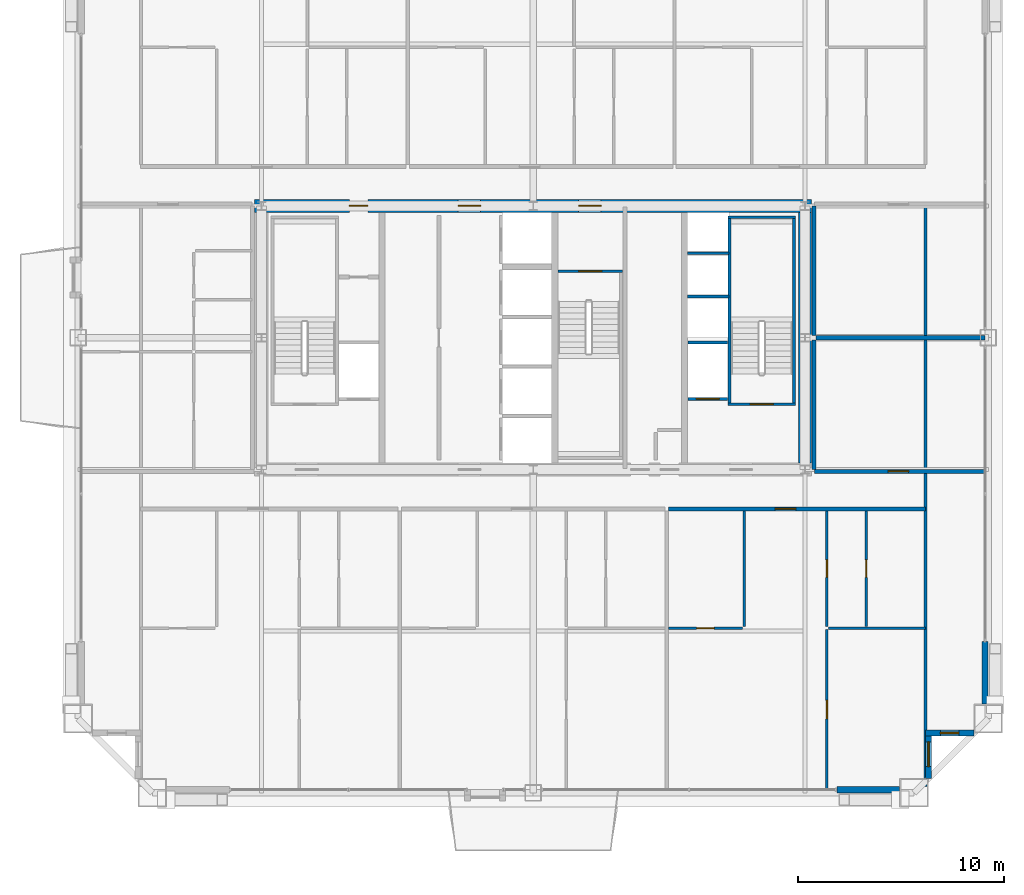
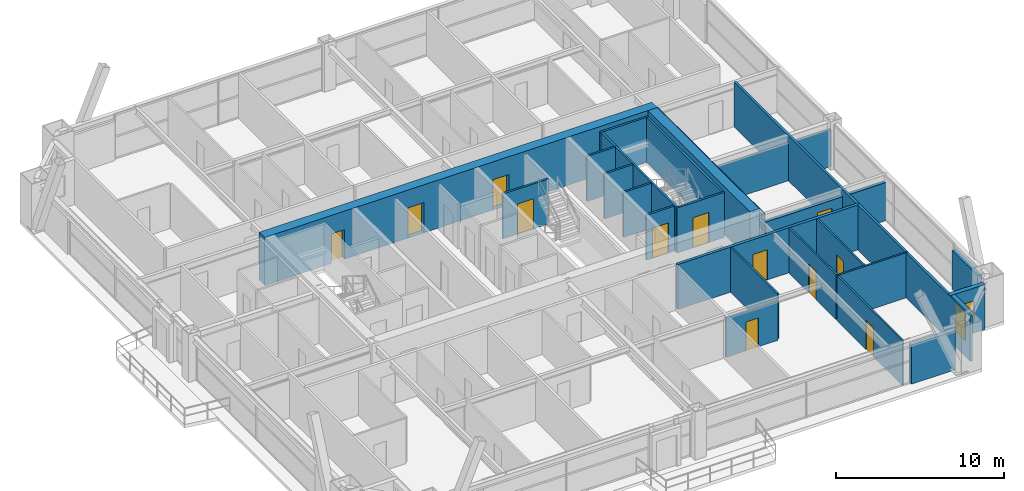
# One storey, part 39 of 42: 27 walls, 12 doors, 2 windows, 14 openings.
"""IFC4 building model written with IfcOpenShell, lengths in metres."""

from ifc_helpers import new_model, si_unit, direction, frame, frame_2d, origin, place, context, subcontext, project, spatial, rectangle, extrude, source, transform, mapped, material, layer, layer_set, type_object, element, fill, save


model = new_model("IFC4")

# Units and contexts
model_context = context("Model", 3, precision=1e-05, world=origin(), true_north=direction((0.0, 1.0)))
body_context = subcontext(model_context, "Body", "Model", "MODEL_VIEW")
ifc_project = project(units=[si_unit("LENGTHUNIT", "METRE"), si_unit("AREAUNIT", "SQUARE_METRE"), si_unit("VOLUMEUNIT", "CUBIC_METRE"), si_unit("PLANEANGLEUNIT", "RADIAN"), si_unit("MASSUNIT", "GRAM", prefix="KILO"), si_unit("THERMODYNAMICTEMPERATUREUNIT", "KELVIN"), si_unit("POWERUNIT", "WATT")], contexts=[model_context])

# Site, building, storey
site_placement = place(None, origin())
site = spatial("IfcSite", under=ifc_project, at=site_placement, CompositionType="ELEMENT")
building_placement = place(site_placement, origin())
building = spatial("IfcBuilding", under=site, at=building_placement, Name="Yuzanri Waterfront Tower", CompositionType="ELEMENT")
storey_placement = place(building_placement, frame((0.0, 0.0, 205.5)))
storey = spatial("IfcBuildingStorey", under=building, at=storey_placement, Name="L54", CompositionType="ELEMENT", Elevation=205.5)

# Wall, opening, door
ifc_material_1 = material(Name="Moisture-Resistant Gypsum Stud Wall", Category="gypsum")
ifc_layer_1 = layer(ifc_material_1, 0.1201171875)
ifc_layer_set_1 = layer_set([ifc_layer_1], Name="Moisture-Resistant Gypsum Stud Wall")
wall_type_1 = type_object("IfcWallType", Name="Bathroom and Kitchen Wet Partition 120", PredefinedType="PARTITIONING", material=ifc_layer_set_1)
wall_1_placement = place(storey_placement, frame((43.56005859375, 11.699951171875, 0.0), z_axis=(0.0, 0.0, 1.0), x_axis=(1.0, 0.0, 0.0)))
wall_1 = element("IfcWall", 1, at=wall_1_placement, inside=storey, type_object=wall_type_1, Name="L54 Partition UW-L54-RS3-SUB-1-S", PredefinedType="PARTITIONING", context=body_context, shape_type="SweptSolid", body=[
    extrude(rectangle(XDim=3.599853515625, YDim=0.1201171875, at=frame_2d((1.7998046875, 0.0))), origin(), (0.0, 0.0, 1.0), 2.875),
])
opening_1_placement = place(wall_1_placement, frame((1.375, 0.0, 0.0)))
opening_1 = element("IfcOpeningElement", 2, at=opening_1_placement, cuts=wall_1, Name="Opening ID-0850", PredefinedType="OPENING", context=body_context, shape_type="SweptSolid", body=[
    extrude(rectangle(XDim=0.85009765625, YDim=2.10009765625, at=frame_2d((0.425048828125, 1.050048828125))), frame((0.0, 0.074951171875, 0.0), z_axis=(0.0, -1.0, 0.0), x_axis=(1.0, 0.0, 0.0)), (0.0, 0.0, 1.0), 0.14990234375),
])
ifc_material_2 = material(Name="Moisture-Resistant Lacquered Timber", Category="wood")
door_type_1 = type_object("IfcDoorType", Name="En-Suite Bathroom and Kitchen Swing Door 850x2100", OperationType="NOTDEFINED", PredefinedType="DOOR", material=ifc_material_2)
shared_shape_1 = source(origin(), body_context, "Body", "SweptSolid", [
    extrude(rectangle(XDim=0.85009765625, YDim=2.10009765625, at=frame_2d((0.425048828125, 1.050048828125))), frame((0.0, 0.02490234375, 0.0), z_axis=(0.0, -1.0, 0.0), x_axis=(1.0, 0.0, 0.0)), (0.0, 0.0, 1.0), 0.050048828125),
])
door_1_placement = place(opening_1_placement, origin())
door_1 = element("IfcDoor", 3, at=door_1_placement, inside=storey, type_object=door_type_1, Name="L54 Suite Interior Room Door", OperationType="SINGLE_SWING_LEFT", OverallHeight=2.10009765625, OverallWidth=0.85009765625, PredefinedType="DOOR", context=body_context, shape_type="MappedRepresentation", body=[
    mapped(shared_shape_1, transform((0.0, 0.0, 0.0), scale=1.0)),
])
fill(opening_1, door_1)

wall_2_placement = place(storey_placement, frame((53.179931640625, 11.780029296875, 0.0), z_axis=(0.0, 0.0, 1.0), x_axis=(0.0, 1.0, 0.0)))
wall_2 = element("IfcWall", 4, at=wall_2_placement, inside=storey, type_object=wall_type_1, Name="L54 Partition UW-L54-RS3-SUB-2-W", PredefinedType="PARTITIONING", context=body_context, shape_type="SweptSolid", body=[
    extrude(rectangle(XDim=5.60986328125, YDim=0.1201171875, at=frame_2d((2.804931640625, 0.0))), origin(), (0.0, 0.0, 1.0), 3.280029296875),
])
opening_2_placement = place(wall_2_placement, frame((2.3798828125, 0.0, 0.0)))
opening_2 = element("IfcOpeningElement", 5, at=opening_2_placement, cuts=wall_2, Name="Opening ID-0850", PredefinedType="OPENING", context=body_context, shape_type="SweptSolid", body=[
    extrude(rectangle(XDim=0.85009765625, YDim=2.10009765625, at=frame_2d((0.425048828125, 1.050048828125))), frame((0.0, 0.074951171875, 0.0), z_axis=(0.0, -1.0, 0.0), x_axis=(1.0, 0.0, 0.0)), (0.0, 0.0, 1.0), 0.14990234375),
])
door_2_placement = place(opening_2_placement, origin())
door_2 = element("IfcDoor", 6, at=door_2_placement, inside=storey, type_object=door_type_1, Name="L54 Suite Interior Room Door", OperationType="SINGLE_SWING_RIGHT", OverallHeight=2.10009765625, OverallWidth=0.85009765625, PredefinedType="DOOR", context=body_context, shape_type="MappedRepresentation", body=[
    mapped(shared_shape_1, transform((0.0, 0.0, 0.0), scale=1.0)),
])
fill(opening_2, door_2)

wall_3_placement = place(storey_placement, frame((51.26806640625, 3.85009765625, 0.0), z_axis=(0.0, 0.0, 1.0), x_axis=(0.0, 1.0, 0.0)))
wall_3 = element("IfcWall", 7, at=wall_3_placement, inside=storey, type_object=wall_type_1, Name="L54 Partition UW-L54-RS3-SUB-3-W", PredefinedType="PARTITIONING", context=body_context, shape_type="SweptSolid", body=[
    extrude(rectangle(XDim=7.77001953125, YDim=0.1201171875, at=frame_2d((3.885009765625, 0.0))), origin(), (0.0, 0.0, 1.0), 3.280029296875),
])
opening_3_placement = place(wall_3_placement, frame((3.43505859375, 0.0, 0.0)))
opening_3 = element("IfcOpeningElement", 8, at=opening_3_placement, cuts=wall_3, Name="Opening ID-0900", PredefinedType="OPENING", context=body_context, shape_type="SweptSolid", body=[
    extrude(rectangle(XDim=0.89990234375, YDim=2.14990234375, at=frame_2d((0.449951171875, 1.074951171875))), frame((0.0, 0.074951171875, 0.0), z_axis=(0.0, -1.0, 0.0), x_axis=(1.0, 0.0, 0.0)), (0.0, 0.0, 1.0), 0.14990234375),
])
ifc_material_3 = material(Name="Stained Walnut Veneer Timber", Category="wood")
door_type_2 = type_object("IfcDoorType", Name="Bedroom and Study Interior Swing Door 900x2150", OperationType="NOTDEFINED", PredefinedType="DOOR", material=ifc_material_3)
shared_shape_2 = source(origin(), body_context, "Body", "SweptSolid", [
    extrude(rectangle(XDim=0.89990234375, YDim=2.14990234375, at=frame_2d((0.449951171875, 1.074951171875))), frame((0.0, 0.02490234375, 0.0), z_axis=(0.0, -1.0, 0.0), x_axis=(1.0, 0.0, 0.0)), (0.0, 0.0, 1.0), 0.050048828125),
])
door_3_placement = place(opening_3_placement, origin())
door_3 = element("IfcDoor", 9, at=door_3_placement, inside=storey, type_object=door_type_2, Name="L54 Suite Interior Room Door", OperationType="SINGLE_SWING_LEFT", OverallHeight=2.14990234375, OverallWidth=0.89990234375, PredefinedType="DOOR", context=body_context, shape_type="MappedRepresentation", body=[
    mapped(shared_shape_2, transform((0.0, 0.0, 0.0), scale=1.0)),
])
fill(opening_3, door_3)

wall_4_placement = place(storey_placement, frame((51.26806640625, 11.780029296875, 0.0), z_axis=(0.0, 0.0, 1.0), x_axis=(0.0, 1.0, 0.0)))
wall_4 = element("IfcWall", 10, at=wall_4_placement, inside=storey, type_object=wall_type_1, Name="L54 Partition UW-L54-RS3-SUB-4-W", PredefinedType="PARTITIONING", context=body_context, shape_type="SweptSolid", body=[
    extrude(rectangle(XDim=5.60986328125, YDim=0.1201171875, at=frame_2d((2.804931640625, 0.0))), origin(), (0.0, 0.0, 1.0), 3.280029296875),
])
opening_4_placement = place(wall_4_placement, frame((2.3798828125, 0.0, 0.0)))
opening_4 = element("IfcOpeningElement", 11, at=opening_4_placement, cuts=wall_4, Name="Opening ID-0850", PredefinedType="OPENING", context=body_context, shape_type="SweptSolid", body=[
    extrude(rectangle(XDim=0.85009765625, YDim=2.10009765625, at=frame_2d((0.425048828125, 1.050048828125))), frame((0.0, 0.074951171875, 0.0), z_axis=(0.0, -1.0, 0.0), x_axis=(1.0, 0.0, 0.0)), (0.0, 0.0, 1.0), 0.14990234375),
])
door_4_placement = place(opening_4_placement, origin())
door_4 = element("IfcDoor", 12, at=door_4_placement, inside=storey, type_object=door_type_1, Name="L54 Suite Interior Room Door", OperationType="SINGLE_SWING_RIGHT", OverallHeight=2.10009765625, OverallWidth=0.85009765625, PredefinedType="DOOR", context=body_context, shape_type="MappedRepresentation", body=[
    mapped(shared_shape_1, transform((0.0, 0.0, 0.0), scale=1.0)),
])
fill(opening_4, door_4)

# Wall, opening, window
ifc_material_4 = material(Name="Honed Chongqing Dark Basalt Stone", Category="masonry")
ifc_layer_2 = layer(ifc_material_4, 0.300048828125)
ifc_layer_set_2 = layer_set([ifc_layer_2], Name="Honed Chongqing Dark Basalt Stone")
wall_type_2 = type_object("IfcWallType", Name="Bronze Rainscreen Insulated Spandrel Portal Wall 300", PredefinedType="SOLIDWALL", material=ifc_layer_set_2)
wall_5_placement = place(storey_placement, frame((56.050048828125, 6.60009765625, 0.0), z_axis=(0.0, 0.0, 1.0), x_axis=(1.0, 0.0, 0.0)))
wall_5 = element("IfcWall", 13, at=wall_5_placement, inside=storey, type_object=wall_type_2, Name="L54 Notched Corner Masonry Wall SE-X", PredefinedType="SOLIDWALL", context=body_context, shape_type="SweptSolid", body=[
    extrude(rectangle(XDim=2.349853515625, YDim=0.300048828125, at=frame_2d((1.1748046875, 0.0))), origin(), (0.0, 0.0, 1.0), 3.280029296875),
])
opening_5_placement = place(wall_5_placement, frame((0.72509765625, 0.0, 0.85009765625)))
opening_5 = element("IfcOpeningElement", 14, at=opening_5_placement, cuts=wall_5, Name="Opening WN-05", PredefinedType="OPENING", context=body_context, shape_type="SweptSolid", body=[
    extrude(rectangle(XDim=0.89990234375, YDim=1.5, at=frame_2d((0.449951171875, 0.75))), frame((0.0, 0.1650390625, 0.0), z_axis=(0.0, -1.0, 0.0), x_axis=(1.0, 0.0, 0.0)), (0.0, 0.0, 1.0), 0.329833984375),
])
ifc_material_5 = material(Name="Double-Silver Low-E Insulated Glass", Category="glass")
window_type_1 = type_object("IfcWindowType", Name="Anodized Bronze Service and Stairwell Smoke-Vent Window 900x1500", PartitioningType="SINGLE_PANEL", PredefinedType="WINDOW", material=ifc_material_5)
shared_shape_3 = source(origin(), body_context, "Body", "SweptSolid", [
    extrude(rectangle(XDim=0.89990234375, YDim=1.5, at=frame_2d((0.449951171875, 0.75))), frame((0.0, 0.030029296875, 0.0), z_axis=(0.0, -1.0, 0.0), x_axis=(1.0, 0.0, 0.0)), (0.0, 0.0, 1.0), 0.06005859375),
])
window_1_placement = place(opening_5_placement, origin())
window_1 = element("IfcWindow", 15, at=window_1_placement, inside=storey, type_object=window_type_1, Name="L54 Notched Corner Window SE-X", OverallHeight=1.5, OverallWidth=0.89990234375, PartitioningType="SINGLE_PANEL", PredefinedType="WINDOW", context=body_context, shape_type="MappedRepresentation", body=[
    mapped(shared_shape_3, transform((0.0, 0.0, 0.0), scale=1.0)),
])
fill(opening_5, window_1)

wall_6_placement = place(storey_placement, frame((56.199951171875, 4.39990234375, 0.0), z_axis=(0.0, 0.0, 1.0), x_axis=(0.0, 1.0, 0.0)))
wall_6 = element("IfcWall", 16, at=wall_6_placement, inside=storey, type_object=wall_type_2, Name="L54 Notched Corner Masonry Wall SE-Y", PredefinedType="SOLIDWALL", context=body_context, shape_type="SweptSolid", body=[
    extrude(rectangle(XDim=2.35009765625, YDim=0.300048828125, at=frame_2d((1.175048828125, 0.0))), origin(), (0.0, 0.0, 1.0), 3.280029296875),
])
opening_6_placement = place(wall_6_placement, frame((0.574951171875, 0.0, 0.85009765625)))
opening_6 = element("IfcOpeningElement", 17, at=opening_6_placement, cuts=wall_6, Name="Opening WN-02", PredefinedType="OPENING", context=body_context, shape_type="SweptSolid", body=[
    extrude(rectangle(XDim=1.199951171875, YDim=2.10009765625, at=frame_2d((0.60009765625, 1.050048828125))), frame((0.0, 0.1650390625, 0.0), z_axis=(0.0, -1.0, 0.0), x_axis=(1.0, 0.0, 0.0)), (0.0, 0.0, 1.0), 0.329833984375),
])
ifc_material_6 = material(Name="Double-Silver Low-E Insulated Glass", Category="glass")
window_type_2 = type_object("IfcWindowType", Name="Anodized Bronze Notched Corner Deep-Set Slot Window 1200x2100", PartitioningType="SINGLE_PANEL", PredefinedType="WINDOW", material=ifc_material_6)
shared_shape_4 = source(origin(), body_context, "Body", "SweptSolid", [
    extrude(rectangle(XDim=1.199951171875, YDim=2.10009765625, at=frame_2d((0.60009765625, 1.050048828125))), frame((0.0, 0.030029296875, 0.0), z_axis=(0.0, -1.0, 0.0), x_axis=(1.0, 0.0, 0.0)), (0.0, 0.0, 1.0), 0.06005859375),
])
window_2_placement = place(opening_6_placement, origin())
window_2 = element("IfcWindow", 18, at=window_2_placement, inside=storey, type_object=window_type_2, Name="L54 Notched Corner Window SE-Y", OverallHeight=2.10009765625, OverallWidth=1.199951171875, PartitioningType="SINGLE_PANEL", PredefinedType="WINDOW", context=body_context, shape_type="MappedRepresentation", body=[
    mapped(shared_shape_4, transform((0.0, 0.0, 0.0), scale=1.0)),
])
fill(opening_6, window_2)

# Wall, openings, doors
ifc_material_7 = material(Name="Concrete C50", Category="concrete")
ifc_layer_3 = layer(ifc_material_7, 0.64990234375)
ifc_layer_set_3 = layer_set([ifc_layer_3], Name="Concrete C50")
wall_type_3 = type_object("IfcWallType", Name="Concrete C50 Mid Zone Core Shear Wall 650", PredefinedType="SHEAR", material=ifc_layer_set_3)
wall_7_placement = place(storey_placement, frame((23.47509765625, 32.199951171875, 0.0), z_axis=(0.0, 0.0, 1.0), x_axis=(1.0, 0.0, 0.0)))
wall_7 = element("IfcWall", 19, at=wall_7_placement, inside=storey, type_object=wall_type_3, Name="L54 Core North Shear Wall", PredefinedType="SHEAR", context=body_context, shape_type="SweptSolid", body=[
    extrude(rectangle(XDim=27.0498046875, YDim=0.64990234375, at=frame_2d((13.52490234375, 0.0))), origin(), (0.0, 0.0, 1.0), 3.5),
])
opening_7_placement = place(wall_7_placement, frame((4.594970703125, 0.0, 0.0)))
opening_7 = element("IfcOpeningElement", 20, at=opening_7_placement, cuts=wall_7, Name="Opening FD-0900", PredefinedType="OPENING", context=body_context, shape_type="SweptSolid", body=[
    extrude(rectangle(XDim=0.89990234375, YDim=2.14990234375, at=frame_2d((0.449951171875, 1.074951171875))), frame((0.0, 0.33984375, 0.0), z_axis=(0.0, -1.0, 0.0), x_axis=(1.0, 0.0, 0.0)), (0.0, 0.0, 1.0), 0.6796875),
])
opening_8_placement = place(wall_7_placement, frame((9.875, 0.0, 0.0)))
opening_8 = element("IfcOpeningElement", 21, at=opening_8_placement, cuts=wall_7, Name="Opening FD-1100", PredefinedType="OPENING", context=body_context, shape_type="SweptSolid", body=[
    extrude(rectangle(XDim=1.10009765625, YDim=2.199951171875, at=frame_2d((0.550048828125, 1.10009765625))), frame((0.0, 0.33984375, 0.0), z_axis=(0.0, -1.0, 0.0), x_axis=(1.0, 0.0, 0.0)), (0.0, 0.0, 1.0), 0.6796875),
])
opening_9_placement = place(wall_7_placement, frame((15.72509765625, 0.0, 0.0)))
opening_9 = element("IfcOpeningElement", 22, at=opening_9_placement, cuts=wall_7, Name="Opening FD-1100", PredefinedType="OPENING", context=body_context, shape_type="SweptSolid", body=[
    extrude(rectangle(XDim=1.10009765625, YDim=2.199951171875, at=frame_2d((0.550048828125, 1.10009765625))), frame((0.0, 0.33984375, 0.0), z_axis=(0.0, -1.0, 0.0), x_axis=(1.0, 0.0, 0.0)), (0.0, 0.0, 1.0), 0.6796875),
])
ifc_material_8 = material(Name="Painted Galvanized Fire Steel", Category="steel")
door_type_3 = type_object("IfcDoorType", Name="Smoke-Proof Stair and Lobby Fire Door 1100x2200", OperationType="NOTDEFINED", PredefinedType="DOOR", material=ifc_material_8)
shared_shape_5 = source(origin(), body_context, "Body", "SweptSolid", [
    extrude(rectangle(XDim=1.10009765625, YDim=2.199951171875, at=frame_2d((0.550048828125, 1.10009765625))), frame((0.0, 0.02490234375, 0.0), z_axis=(0.0, -1.0, 0.0), x_axis=(1.0, 0.0, 0.0)), (0.0, 0.0, 1.0), 0.050048828125),
])
door_5_placement = place(opening_8_placement, origin())
door_5 = element("IfcDoor", 23, at=door_5_placement, inside=storey, type_object=door_type_3, Name="L54 Central Lift Lobby North Door", OperationType="SINGLE_SWING_RIGHT", OverallHeight=2.199951171875, OverallWidth=1.10009765625, PredefinedType="DOOR", context=body_context, shape_type="MappedRepresentation", body=[
    mapped(shared_shape_5, transform((0.0, 0.0, 0.0), scale=1.0)),
])
fill(opening_8, door_5)
door_6_placement = place(opening_9_placement, origin())
door_6 = element("IfcDoor", 24, at=door_6_placement, inside=storey, type_object=door_type_3, Name="L54 North Stair Lobby Door", OperationType="SINGLE_SWING_LEFT", OverallHeight=2.199951171875, OverallWidth=1.10009765625, PredefinedType="DOOR", context=body_context, shape_type="MappedRepresentation", body=[
    mapped(shared_shape_5, transform((0.0, 0.0, 0.0), scale=1.0)),
])
fill(opening_9, door_6)
ifc_material_9 = material(Name="Painted Galvanized Fire Steel", Category="steel")
door_type_4 = type_object("IfcDoorType", Name="Riser and Service Room Fire Door 900x2150", OperationType="NOTDEFINED", PredefinedType="DOOR", material=ifc_material_9)
shared_shape_6 = source(origin(), body_context, "Body", "SweptSolid", [
    extrude(rectangle(XDim=0.89990234375, YDim=2.14990234375, at=frame_2d((0.449951171875, 1.074951171875))), frame((0.0, 0.02490234375, 0.0), z_axis=(0.0, -1.0, 0.0), x_axis=(1.0, 0.0, 0.0)), (0.0, 0.0, 1.0), 0.050048828125),
])
door_7_placement = place(opening_7_placement, origin())
door_7 = element("IfcDoor", 25, at=door_7_placement, inside=storey, type_object=door_type_4, Name="L54 Telecom Riser Door", OperationType="SINGLE_SWING_LEFT", OverallHeight=2.14990234375, OverallWidth=0.89990234375, PredefinedType="DOOR", context=body_context, shape_type="MappedRepresentation", body=[
    mapped(shared_shape_6, transform((0.0, 0.0, 0.0), scale=1.0)),
])
fill(opening_7, door_7)

# Wall, opening, door
ifc_material_10 = material(Name="Concrete C40", Category="concrete")
ifc_layer_4 = layer(ifc_material_10, 0.139892578125)
ifc_layer_set_4 = layer_set([ifc_layer_4], Name="Concrete C40")
wall_type_4 = type_object("IfcWallType", Name="Core Stair Liner and Hoistway Shaft Wall 140", PredefinedType="SOLIDWALL", material=ifc_layer_set_4)
wall_8_placement = place(storey_placement, frame((44.52001953125, 22.830078125, 0.0), z_axis=(0.0, 0.0, 1.0), x_axis=(1.0, 0.0, 0.0)))
wall_8 = element("IfcWall", 26, at=wall_8_placement, inside=storey, type_object=wall_type_4, Name="L54 Lift FL-02 Front Shaft Wall", PredefinedType="SOLIDWALL", context=body_context, shape_type="SweptSolid", body=[
    extrude(rectangle(XDim=1.919921875, YDim=0.139892578125, at=frame_2d((0.9599609375, 0.0))), origin(), (0.0, 0.0, 1.0), 3.280029296875),
])
opening_10_placement = place(wall_8_placement, frame((0.409912109375, 0.0, 0.0)))
opening_10 = element("IfcOpeningElement", 27, at=opening_10_placement, cuts=wall_8, Name="Opening LD-FL-02", PredefinedType="OPENING", context=body_context, shape_type="SweptSolid", body=[
    extrude(rectangle(XDim=1.10009765625, YDim=2.199951171875, at=frame_2d((0.550048828125, 1.10009765625))), frame((0.0, 0.0849609375, 0.0), z_axis=(0.0, -1.0, 0.0), x_axis=(1.0, 0.0, 0.0)), (0.0, 0.0, 1.0), 0.169677734375),
])
ifc_material_11 = material(Name="Brushed Bronze and Stainless Steel Cab", Category="steel")
door_type_5 = type_object("IfcDoorType", Name="Center-Parting Bronze Lift Landing Sliding Door 1100x2200", OperationType="NOTDEFINED", PredefinedType="DOOR", material=ifc_material_11)
shared_shape_7 = source(origin(), body_context, "Body", "SweptSolid", [
    extrude(rectangle(XDim=1.10009765625, YDim=2.199951171875, at=frame_2d((0.550048828125, 1.10009765625))), frame((0.0, 0.02490234375, 0.0), z_axis=(0.0, -1.0, 0.0), x_axis=(1.0, 0.0, 0.0)), (0.0, 0.0, 1.0), 0.050048828125),
])
door_8_placement = place(opening_10_placement, origin())
door_8 = element("IfcDoor", 28, at=door_8_placement, inside=storey, type_object=door_type_5, Name="L54 FL-02 Lift Landing Sliding Door", OperationType="SLIDING_TO_RIGHT", OverallHeight=2.199951171875, OverallWidth=1.10009765625, PredefinedType="DOOR", context=body_context, shape_type="MappedRepresentation", body=[
    mapped(shared_shape_7, transform((0.0, 0.0, 0.0), scale=1.0)),
])
fill(opening_10, door_8)

wall_9_placement = place(storey_placement, frame((46.4599609375, 22.570068359375, 0.0), z_axis=(0.0, 0.0, 1.0), x_axis=(1.0, 0.0, 0.0)))
wall_9 = element("IfcWall", 29, at=wall_9_placement, inside=storey, type_object=wall_type_4, Name="L54 Shaft Wall STW-L54-ST-02-S", PredefinedType="SOLIDWALL", context=body_context, shape_type="SweptSolid", body=[
    extrude(rectangle(XDim=3.280029296875, YDim=0.139892578125, at=frame_2d((1.64013671875, 0.0))), origin(), (0.0, 0.0, 1.0), 3.280029296875),
])
opening_11_placement = place(wall_9_placement, frame((1.090087890625, 0.0, 0.0)))
opening_11 = element("IfcOpeningElement", 30, at=opening_11_placement, cuts=wall_9, Name="Opening FD-1100", PredefinedType="OPENING", context=body_context, shape_type="SweptSolid", body=[
    extrude(rectangle(XDim=1.10009765625, YDim=2.199951171875, at=frame_2d((0.550048828125, 1.10009765625))), frame((0.0, 0.0849609375, 0.0), z_axis=(0.0, -1.0, 0.0), x_axis=(1.0, 0.0, 0.0)), (0.0, 0.0, 1.0), 0.169677734375),
])
door_9_placement = place(opening_11_placement, origin())
door_9 = element("IfcDoor", 31, at=door_9_placement, inside=storey, type_object=door_type_3, Name="L54 Stair ST-02 Fire Door", OperationType="SINGLE_SWING_RIGHT", OverallHeight=2.199951171875, OverallWidth=1.10009765625, PredefinedType="DOOR", context=body_context, shape_type="MappedRepresentation", body=[
    mapped(shared_shape_5, transform((0.0, 0.0, 0.0), scale=1.0)),
])
fill(opening_11, door_9)

wall_10_placement = place(storey_placement, frame((38.199951171875, 29.030029296875, 0.0), z_axis=(0.0, 0.0, 1.0), x_axis=(1.0, 0.0, 0.0)))
wall_10 = element("IfcWall", 32, at=wall_10_placement, inside=storey, type_object=wall_type_4, Name="L54 Shaft Wall STW-L54-ST-03-N", PredefinedType="SOLIDWALL", context=body_context, shape_type="SweptSolid", body=[
    extrude(rectangle(XDim=3.14013671875, YDim=0.139892578125, at=frame_2d((1.570068359375, 0.0))), origin(), (0.0, 0.0, 1.0), 3.280029296875),
])
opening_12_placement = place(wall_10_placement, frame((1.02001953125, 0.0, 0.0)))
opening_12 = element("IfcOpeningElement", 33, at=opening_12_placement, cuts=wall_10, Name="Opening FD-1100", PredefinedType="OPENING", context=body_context, shape_type="SweptSolid", body=[
    extrude(rectangle(XDim=1.10009765625, YDim=2.199951171875, at=frame_2d((0.550048828125, 1.10009765625))), frame((0.0, 0.0849609375, 0.0), z_axis=(0.0, -1.0, 0.0), x_axis=(1.0, 0.0, 0.0)), (0.0, 0.0, 1.0), 0.169677734375),
])
door_10_placement = place(opening_12_placement, origin())
door_10 = element("IfcDoor", 34, at=door_10_placement, inside=storey, type_object=door_type_3, Name="L54 Stair ST-03 Fire Door", OperationType="SINGLE_SWING_LEFT", OverallHeight=2.199951171875, OverallWidth=1.10009765625, PredefinedType="DOOR", context=body_context, shape_type="MappedRepresentation", body=[
    mapped(shared_shape_5, transform((0.0, 0.0, 0.0), scale=1.0)),
])
fill(opening_12, door_10)

ifc_material_12 = material(Name="Autoclaved Aerated Concrete Blockwork", Category="masonry")
ifc_layer_5 = layer(ifc_material_12, 0.199951171875)
ifc_layer_set_5 = layer_set([ifc_layer_5], Name="Autoclaved Aerated Concrete Blockwork")
wall_type_5 = type_object("IfcWallType", Name="Corridor and Unit Party Fire Wall 200", PredefinedType="PARTITIONING", material=ifc_layer_set_5)
wall_11_placement = place(storey_placement, frame((43.56005859375, 17.489990234375, 0.0), z_axis=(0.0, 0.0, 1.0), x_axis=(1.0, 0.0, 0.0)))
wall_11 = element("IfcWall", 35, at=wall_11_placement, inside=storey, type_object=wall_type_5, Name="L54 Partition UW-L54-RS3-CN", PredefinedType="PARTITIONING", context=body_context, shape_type="SweptSolid", body=[
    extrude(rectangle(XDim=12.5, YDim=0.199951171875, at=frame_2d((6.25, 0.0))), origin(), (0.0, 0.0, 1.0), 3.280029296875),
])
opening_13_placement = place(wall_11_placement, frame((5.194091796875, 0.0, 0.0)))
opening_13 = element("IfcOpeningElement", 36, at=opening_13_placement, cuts=wall_11, Name="Opening FD-1000", PredefinedType="OPENING", context=body_context, shape_type="SweptSolid", body=[
    extrude(rectangle(XDim=1.0, YDim=2.199951171875, at=frame_2d((0.5, 1.10009765625))), frame((0.0, 0.11474609375, 0.0), z_axis=(0.0, -1.0, 0.0), x_axis=(1.0, 0.0, 0.0)), (0.0, 0.0, 1.0), 0.229736328125),
])
ifc_material_13 = material(Name="Engineered Oak Fire-Rated Timber", Category="wood")
door_type_6 = type_object("IfcDoorType", Name="Guestroom and Apartment Entrance Fire Door 1000x2200", OperationType="NOTDEFINED", PredefinedType="DOOR", material=ifc_material_13)
shared_shape_8 = source(origin(), body_context, "Body", "SweptSolid", [
    extrude(rectangle(XDim=1.0, YDim=2.199951171875, at=frame_2d((0.5, 1.10009765625))), frame((0.0, 0.02490234375, 0.0), z_axis=(0.0, -1.0, 0.0), x_axis=(1.0, 0.0, 0.0)), (0.0, 0.0, 1.0), 0.050048828125),
])
door_11_placement = place(opening_13_placement, origin())
door_11 = element("IfcDoor", 37, at=door_11_placement, inside=storey, type_object=door_type_6, Name="L54 Apartment Living Room Entrance Door", OperationType="SINGLE_SWING_RIGHT", OverallHeight=2.199951171875, OverallWidth=1.0, PredefinedType="DOOR", context=body_context, shape_type="MappedRepresentation", body=[
    mapped(shared_shape_8, transform((0.0, 0.0, 0.0), scale=1.0)),
])
fill(opening_13, door_11)

wall_12_placement = place(storey_placement, frame((50.64990234375, 19.31005859375, 0.0), z_axis=(0.0, 0.0, 1.0), x_axis=(1.0, 0.0, 0.0)))
wall_12 = element("IfcWall", 38, at=wall_12_placement, inside=storey, type_object=wall_type_5, Name="L54 Partition UW-L54-050-CS", PredefinedType="PARTITIONING", context=body_context, shape_type="SweptSolid", body=[
    extrude(rectangle(XDim=8.300048828125, YDim=0.199951171875, at=frame_2d((4.14990234375, 0.0))), origin(), (0.0, 0.0, 1.0), 2.77490234375),
])
opening_14_placement = place(wall_12_placement, frame((3.5849609375, 0.0, 0.0)))
opening_14 = element("IfcOpeningElement", 39, at=opening_14_placement, cuts=wall_12, Name="Opening FD-1000", PredefinedType="OPENING", context=body_context, shape_type="SweptSolid", body=[
    extrude(rectangle(XDim=1.0, YDim=2.199951171875, at=frame_2d((0.5, 1.10009765625))), frame((0.0, 0.11474609375, 0.0), z_axis=(0.0, -1.0, 0.0), x_axis=(1.0, 0.0, 0.0)), (0.0, 0.0, 1.0), 0.229736328125),
])
door_12_placement = place(opening_14_placement, origin())
door_12 = element("IfcDoor", 40, at=door_12_placement, inside=storey, type_object=door_type_6, Name="L54 Residents E Co-Working Office 1 Entrance Door", OperationType="SINGLE_SWING_LEFT", OverallHeight=2.199951171875, OverallWidth=1.0, PredefinedType="DOOR", context=body_context, shape_type="MappedRepresentation", body=[
    mapped(shared_shape_8, transform((0.0, 0.0, 0.0), scale=1.0)),
])
fill(opening_14, door_12)

# Walls
shared_shape_9 = source(origin(), body_context, "Body", "SweptSolid", [
    extrude(rectangle(XDim=12.14990234375, YDim=0.64990234375, at=frame_2d((6.074951171875, 0.0))), origin(), (0.0, 0.0, 1.0), 3.5),
])
wall_13_placement = place(storey_placement, frame((50.199951171875, 19.72509765625, 0.0), z_axis=(0.0, 0.0, 1.0), x_axis=(0.0, 1.0, 0.0)))
element("IfcWall", 41, at=wall_13_placement, inside=storey, type_object=wall_type_3, Name="L54 Core East Shear Wall", PredefinedType="SHEAR", context=body_context, shape_type="MappedRepresentation", body=[
    mapped(shared_shape_9, transform((0.0, 0.0, 0.0), scale=1.0)),
])
shared_shape_10 = source(origin(), body_context, "Body", "SweptSolid", [
    extrude(rectangle(XDim=3.050048828125, YDim=0.300048828125, at=frame_2d((1.52490234375, 0.0))), origin(), (0.0, 0.0, 1.0), 2.8349609375),
])
for number, where, z_axis, x_axis, name in (
    (42, (51.75, 3.85009765625, 0.0), (0.0, 0.0, 1.0), (1.0, 0.0, 0.0), "L54 S Right Braced Masonry Shoulder"),
    (43, (58.949951171875, 8.0, 0.0), (0.0, 0.0, 1.0), (0.0, 1.0, 0.0), "L54 E Left Braced Masonry Shoulder"),
):
    element("IfcWall", number, at=place(storey_placement, frame(where, z_axis=z_axis, x_axis=x_axis)), inside=storey, type_object=wall_type_2, Name=name, PredefinedType="SOLIDWALL", context=body_context, shape_type="MappedRepresentation", body=[
        mapped(shared_shape_10, transform((0.0, 0.0, 0.0), scale=1.0)),
    ])
shared_shape_11 = source(origin(), body_context, "Body", "SweptSolid", [
    extrude(rectangle(XDim=1.919921875, YDim=0.139892578125, at=frame_2d((0.9599609375, 0.0))), origin(), (0.0, 0.0, 1.0), 3.280029296875),
])
wall_14_placement = place(storey_placement, frame((44.52001953125, 25.570068359375, 0.0), z_axis=(0.0, 0.0, 1.0), x_axis=(1.0, 0.0, 0.0)))
element("IfcWall", 44, at=wall_14_placement, inside=storey, type_object=wall_type_4, Name="L54 Lift FL-02 Back Shaft Wall", PredefinedType="SOLIDWALL", context=body_context, shape_type="MappedRepresentation", body=[
    mapped(shared_shape_11, transform((0.0, 0.0, 0.0), scale=1.0)),
])
shared_shape_12 = source(origin(), body_context, "Body", "SweptSolid", [
    extrude(rectangle(XDim=2.0, YDim=0.139892578125, at=frame_2d((1.0, 0.0))), origin(), (0.0, 0.0, 1.0), 3.280029296875),
])
for number, where, z_axis, x_axis, name in (
    (45, (44.5, 27.800048828125, 0.0), (0.0, 0.0, 1.0), (1.0, 0.0, 0.0), "L54 Lift PL-09 Divider Wall"),
    (46, (44.5, 29.89990234375, 0.0), (0.0, 0.0, 1.0), (1.0, 0.0, 0.0), "L54 Lift PL-10 Divider Wall"),
):
    element("IfcWall", number, at=place(storey_placement, frame(where, z_axis=z_axis, x_axis=x_axis)), inside=storey, type_object=wall_type_4, Name=name, PredefinedType="SOLIDWALL", context=body_context, shape_type="MappedRepresentation", body=[
        mapped(shared_shape_12, transform((0.0, 0.0, 0.0), scale=1.0)),
    ])
shared_shape_13 = source(origin(), body_context, "Body", "SweptSolid", [
    extrude(rectangle(XDim=3.280029296875, YDim=0.139892578125, at=frame_2d((1.64013671875, 0.0))), origin(), (0.0, 0.0, 1.0), 3.280029296875),
])
wall_15_placement = place(storey_placement, frame((46.4599609375, 31.64990234375, 0.0), z_axis=(0.0, 0.0, 1.0), x_axis=(1.0, 0.0, 0.0)))
element("IfcWall", 47, at=wall_15_placement, inside=storey, type_object=wall_type_4, Name="L54 Stair ST-02 North Shaft Wall", PredefinedType="SOLIDWALL", context=body_context, shape_type="MappedRepresentation", body=[
    mapped(shared_shape_13, transform((0.0, 0.0, 0.0), scale=1.0)),
])
shared_shape_14 = source(origin(), body_context, "Body", "SweptSolid", [
    extrude(rectangle(XDim=8.940185546875, YDim=0.139892578125, at=frame_2d((4.47021484375, 0.0))), origin(), (0.0, 0.0, 1.0), 3.280029296875),
])
for number, where, z_axis, x_axis, name in (
    (48, (46.530029296875, 22.639892578125, 0.0), (0.0, 0.0, 1.0), (0.0, 1.0, 0.0), "L54 Stair ST-02 West Shaft Wall"),
    (49, (49.669921875, 22.639892578125, 0.0), (0.0, 0.0, 1.0), (0.0, 1.0, 0.0), "L54 Stair ST-02 East Shaft Wall"),
):
    element("IfcWall", number, at=place(storey_placement, frame(where, z_axis=z_axis, x_axis=x_axis)), inside=storey, type_object=wall_type_4, Name=name, PredefinedType="SOLIDWALL", context=body_context, shape_type="MappedRepresentation", body=[
        mapped(shared_shape_14, transform((0.0, 0.0, 0.0), scale=1.0)),
    ])
shared_shape_15 = source(origin(), body_context, "Body", "SweptSolid", [
    extrude(rectangle(XDim=5.60986328125, YDim=0.1201171875, at=frame_2d((2.804931640625, 0.0))), origin(), (0.0, 0.0, 1.0), 3.280029296875),
])
wall_16_placement = place(storey_placement, frame((47.239990234375, 11.780029296875, 0.0), z_axis=(0.0, 0.0, 1.0), x_axis=(0.0, 1.0, 0.0)))
element("IfcWall", 50, at=wall_16_placement, inside=storey, type_object=wall_type_1, Name="L54 Partition UW-L54-RS3-SUB-1-E", PredefinedType="PARTITIONING", context=body_context, shape_type="MappedRepresentation", body=[
    mapped(shared_shape_15, transform((0.0, 0.0, 0.0), scale=1.0)),
])
shared_shape_16 = source(origin(), body_context, "Body", "SweptSolid", [
    extrude(rectangle(XDim=8.21484375, YDim=0.199951171875, at=frame_2d((4.107421875, 0.0))), origin(), (0.0, 0.0, 1.0), 2.68701171875),
])
wall_17_placement = place(storey_placement, frame((50.735107421875, 25.800048828125, 0.0), z_axis=(0.0, 0.0, 1.0), x_axis=(1.0, 0.0, 0.0)))
element("IfcWall", 51, at=wall_17_placement, inside=storey, type_object=wall_type_5, Name="L54-050 Wing North Wall", PredefinedType="PARTITIONING", context=body_context, shape_type="MappedRepresentation", body=[
    mapped(shared_shape_16, transform((0.0, 0.0, 0.0), scale=1.0)),
])
shared_shape_17 = source(origin(), body_context, "Body", "SweptSolid", [
    extrude(rectangle(XDim=6.2900390625, YDim=0.199951171875, at=frame_2d((3.14501953125, 0.0))), origin(), (0.0, 0.0, 1.0), 3.280029296875),
])
for number, where, z_axis, x_axis, name in (
    (52, (50.6298828125, 19.409912109375, 0.0), (0.0, 0.0, 1.0), (0.0, 1.0, 0.0), "L54-050 Wing Inner Core-Side Wall"),
    (53, (50.6298828125, 25.89990234375, 0.0), (0.0, 0.0, 1.0), (0.0, 1.0, 0.0), "L54-051 Wing Inner Core-Side Wall"),
):
    element("IfcWall", number, at=place(storey_placement, frame(where, z_axis=z_axis, x_axis=x_axis)), inside=storey, type_object=wall_type_5, Name=name, PredefinedType="PARTITIONING", context=body_context, shape_type="MappedRepresentation", body=[
        mapped(shared_shape_17, transform((0.0, 0.0, 0.0), scale=1.0)),
    ])
ifc_material_14 = material(Name="Gypsum Fireboard Acoustic Stud Wall", Category="gypsum")
ifc_layer_6 = layer(ifc_material_14, 0.159912109375)
ifc_layer_set_6 = layer_set([ifc_layer_6], Name="Gypsum Fireboard Acoustic Stud Wall")
wall_type_6 = type_object("IfcWallType", Name="Acoustic Suite Demising Partition 160", PredefinedType="PARTITIONING", material=ifc_layer_set_6)
shared_shape_18 = source(origin(), body_context, "Body", "SweptSolid", [
    extrude(rectangle(XDim=28.18994140625, YDim=0.159912109375, at=frame_2d((14.094970703125, 0.0))), origin(), (0.0, 0.0, 1.0), 3.280029296875),
])
wall_18_placement = place(storey_placement, frame((56.050048828125, 4.0, 0.0), z_axis=(0.0, 0.0, 1.0), x_axis=(0.0, 1.0, 0.0)))
element("IfcWall", 54, at=wall_18_placement, inside=storey, type_object=wall_type_6, Name="L54 South Band East End Wall", PredefinedType="PARTITIONING", context=body_context, shape_type="MappedRepresentation", body=[
    mapped(shared_shape_18, transform((0.0, 0.0, 0.0), scale=1.0)),
])
shared_shape_19 = source(origin(), body_context, "Body", "SweptSolid", [
    extrude(rectangle(XDim=4.712158203125, YDim=0.1201171875, at=frame_2d((2.35595703125, 0.0))), origin(), (0.0, 0.0, 1.0), 3.280029296875),
])
wall_19_placement = place(storey_placement, frame((51.347900390625, 11.699951171875, 0.0), z_axis=(0.0, 0.0, 1.0), x_axis=(1.0, 0.0, 0.0)))
element("IfcWall", 55, at=wall_19_placement, inside=storey, type_object=wall_type_1, Name="L54 Partition UW-L54-RS3-SUB-3-N", PredefinedType="PARTITIONING", context=body_context, shape_type="MappedRepresentation", body=[
    mapped(shared_shape_19, transform((0.0, 0.0, 0.0), scale=1.0)),
])

save(model, "model.ifc")
